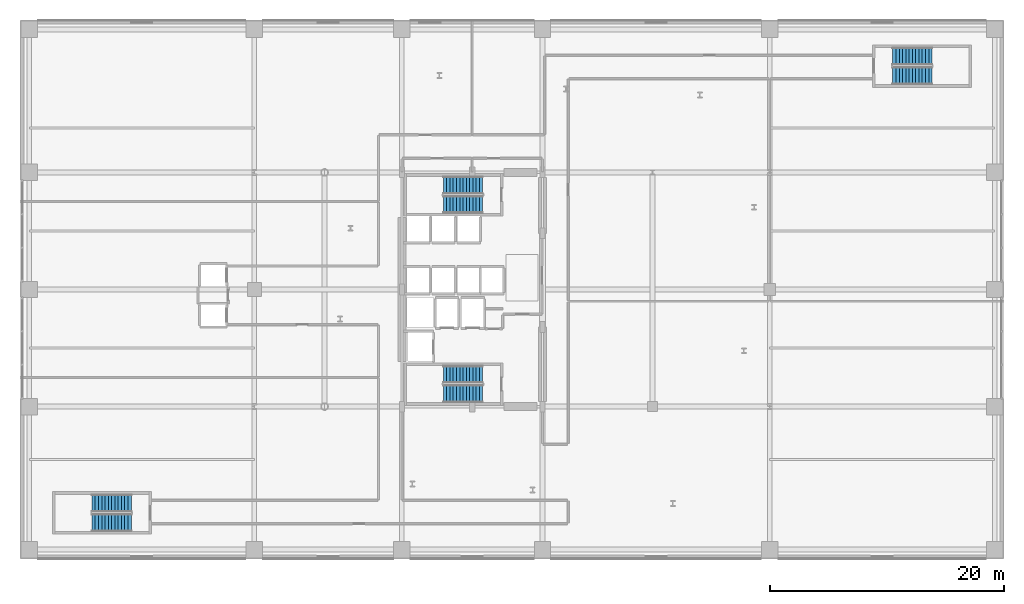
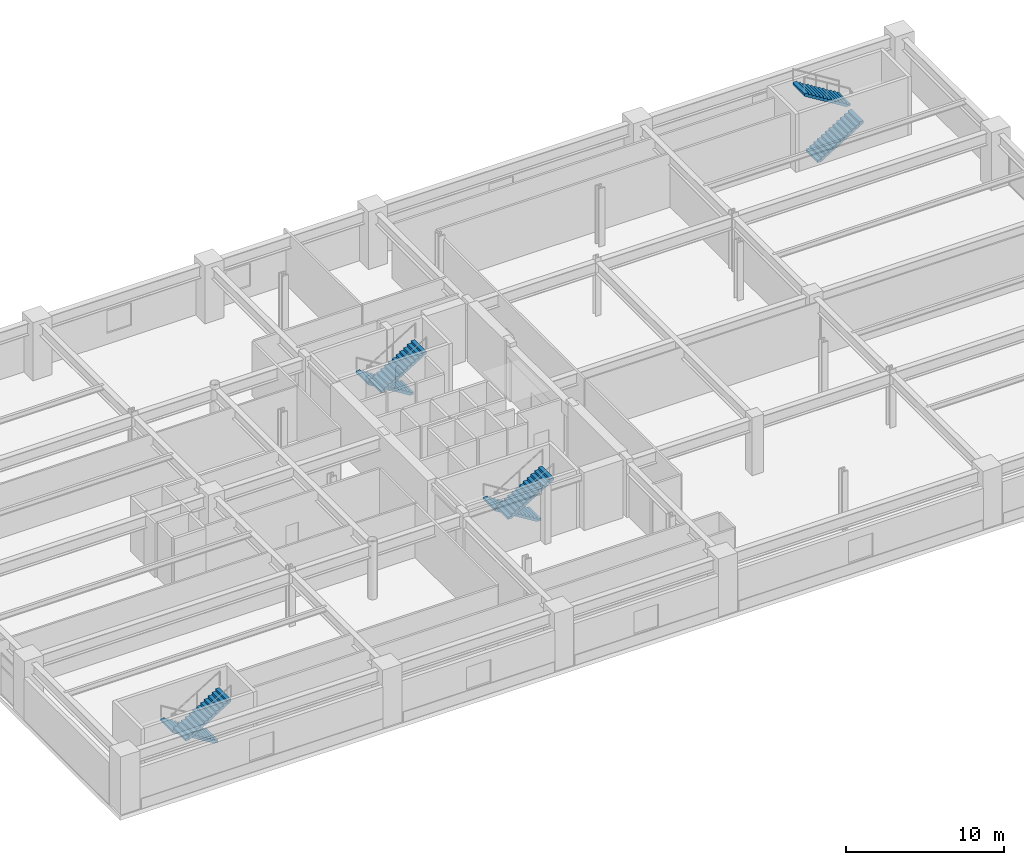
# One storey, part 23 of 28: 8 stair flights, 4 elements without a shape of their own.
"""IFC4 building model written with IfcOpenShell, lengths in metres."""

from ifc_helpers import new_model, si_unit, direction, frame, origin, place, context, subcontext, project, spatial, polyline, outline, extrude, material, layer, layer_set, type_object, element, aggregate, save


model = new_model("IFC4")

# Units and contexts
model_context = context("Model", 3, precision=1e-05, world=origin(), true_north=direction((0.0, 1.0)))
body_context = subcontext(model_context, "Body", "Model", "MODEL_VIEW")
ifc_project = project(units=[si_unit("LENGTHUNIT", "METRE"), si_unit("AREAUNIT", "SQUARE_METRE"), si_unit("VOLUMEUNIT", "CUBIC_METRE"), si_unit("PLANEANGLEUNIT", "RADIAN"), si_unit("MASSUNIT", "GRAM", prefix="KILO")], contexts=[model_context])

# Site, building, storey
site_placement = place(None, origin())
site = spatial("IfcSite", under=ifc_project, at=site_placement, CompositionType="ELEMENT")
building_placement = place(site_placement, origin())
building = spatial("IfcBuilding", under=site, at=building_placement, Name="Soratama Intermodal Tower", CompositionType="ELEMENT")
storey_placement = place(building_placement, frame((0.0, 0.0, 20.699951171875)))
storey = spatial("IfcBuildingStorey", under=building, at=storey_placement, Name="L04", CompositionType="ELEMENT", Elevation=20.699951171875)

# Stair, stair flights
ifc_material_1 = material(Name="Concrete f'c 42 MPa", Category="concrete")
stair_type = type_object("IfcStairType", Name="ST-CORE-DOGLEG", PredefinedType="HALF_TURN_STAIR", material=ifc_material_1)
stair_1_placement = place(storey_placement, origin())
stair_1 = element("IfcStair", 1, at=stair_1_placement, inside=storey, type_object=stair_type, Name="L04 ST-1", PredefinedType="HALF_TURN_STAIR")
ifc_material_2 = material(Name="Precast concrete f'c 40 MPa", Category="concrete")
ifc_layer = layer(ifc_material_2, 0.199951171875)
ifc_layer_set = layer_set([ifc_layer], Name="Precast concrete f'c 40 MPa")
stair_flight_type = type_object("IfcStairFlightType", Name="SF-FLIGHT-RC", PredefinedType="STRAIGHT", material=ifc_layer_set)
stair_flight_1_placement = place(storey_placement, frame((39.5, 17.75, 0.0), z_axis=(0.0, 0.0, 1.0), x_axis=(-1.0, 0.0, 0.0)))
stair_flight_1 = element("IfcStairFlight", 2, at=stair_flight_1_placement, type_object=stair_flight_type, Name="ST-1 flight 1", NumberOfRisers=13, NumberOfTreads=12, PredefinedType="STRAIGHT", RiserHeight=0.173076923, TreadLength=0.28, context=body_context, shape_type="SweptSolid", body=[
    extrude(outline(polyline([(0.0, 0.0), (0.0, 0.173095703125), (0.280029296875, 0.173095703125), (0.280029296875, 0.34619140625), (0.56005859375, 0.34619140625), (0.56005859375, 0.519287109375), (0.840087890625, 0.519287109375), (0.840087890625, 0.6923828125), (1.1201171875, 0.6923828125), (1.1201171875, 0.865478515625), (1.39990234375, 0.865478515625), (1.39990234375, 1.03857421875), (1.679931640625, 1.03857421875), (1.679931640625, 1.21142578125), (1.9599609375, 1.21142578125), (1.9599609375, 1.384521484375), (2.239990234375, 1.384521484375), (2.239990234375, 1.5576171875), (2.52001953125, 1.5576171875), (2.52001953125, 1.730712890625), (2.800048828125, 1.730712890625), (2.800048828125, 1.90380859375), (3.080078125, 1.90380859375), (3.080078125, 2.076904296875), (3.360107421875, 2.076904296875), (3.360107421875, 2.25), (3.360107421875, 1.900634765625), (0.28515625, 0.0), (0.0, 0.0)])), frame((0.0, 0.75, 0.0), z_axis=(0.0, -1.0, 0.0), x_axis=(1.0, 0.0, 0.0)), (0.0, 0.0, 1.0), 1.5),
])
stair_flight_2_placement = place(storey_placement, frame((36.139892578125, 16.10009765625, 2.25), z_axis=(0.0, 0.0, 1.0), x_axis=(1.0, 0.0, 0.0)))
stair_flight_2 = element("IfcStairFlight", 3, at=stair_flight_2_placement, type_object=stair_flight_type, Name="ST-1 flight 2", NumberOfRisers=13, NumberOfTreads=12, PredefinedType="STRAIGHT", RiserHeight=0.173076923, TreadLength=0.28, context=body_context, shape_type="SweptSolid", body=[
    extrude(outline(polyline([(0.0, 0.0), (0.0, 0.173095703125), (0.280029296875, 0.173095703125), (0.280029296875, 0.34619140625), (0.56005859375, 0.34619140625), (0.56005859375, 0.519287109375), (0.840087890625, 0.519287109375), (0.840087890625, 0.6923828125), (1.1201171875, 0.6923828125), (1.1201171875, 0.865478515625), (1.39990234375, 0.865478515625), (1.39990234375, 1.03857421875), (1.679931640625, 1.03857421875), (1.679931640625, 1.21142578125), (1.9599609375, 1.21142578125), (1.9599609375, 1.384521484375), (2.239990234375, 1.384521484375), (2.239990234375, 1.5576171875), (2.52001953125, 1.5576171875), (2.52001953125, 1.730712890625), (2.800048828125, 1.730712890625), (2.800048828125, 1.90380859375), (3.080078125, 1.90380859375), (3.080078125, 2.076904296875), (3.360107421875, 2.076904296875), (3.360107421875, 2.25), (3.360107421875, 1.900634765625), (0.28515625, 0.0), (0.0, 0.0)])), frame((0.0, 0.75, 0.0), z_axis=(0.0, -1.0, 0.0), x_axis=(1.0, 0.0, 0.0)), (0.0, 0.0, 1.0), 1.5),
])
aggregate(stair_1, [stair_flight_1, stair_flight_2])

stair_2_placement = place(storey_placement, origin())
stair_2 = element("IfcStair", 4, at=stair_2_placement, inside=storey, type_object=stair_type, Name="L04 ST-2", PredefinedType="HALF_TURN_STAIR")
stair_flight_3_placement = place(storey_placement, frame((39.5, 33.89990234375, 0.0), z_axis=(0.0, 0.0, 1.0), x_axis=(-1.0, 0.0, 0.0)))
stair_flight_3 = element("IfcStairFlight", 5, at=stair_flight_3_placement, type_object=stair_flight_type, Name="ST-2 flight 1", NumberOfRisers=13, NumberOfTreads=12, PredefinedType="STRAIGHT", RiserHeight=0.173076923, TreadLength=0.28, context=body_context, shape_type="SweptSolid", body=[
    extrude(outline(polyline([(0.0, 0.0), (0.0, 0.173095703125), (0.280029296875, 0.173095703125), (0.280029296875, 0.34619140625), (0.56005859375, 0.34619140625), (0.56005859375, 0.519287109375), (0.840087890625, 0.519287109375), (0.840087890625, 0.6923828125), (1.1201171875, 0.6923828125), (1.1201171875, 0.865478515625), (1.39990234375, 0.865478515625), (1.39990234375, 1.03857421875), (1.679931640625, 1.03857421875), (1.679931640625, 1.21142578125), (1.9599609375, 1.21142578125), (1.9599609375, 1.384521484375), (2.239990234375, 1.384521484375), (2.239990234375, 1.5576171875), (2.52001953125, 1.5576171875), (2.52001953125, 1.730712890625), (2.800048828125, 1.730712890625), (2.800048828125, 1.90380859375), (3.080078125, 1.90380859375), (3.080078125, 2.076904296875), (3.360107421875, 2.076904296875), (3.360107421875, 2.25), (3.360107421875, 1.900634765625), (0.28515625, 0.0), (0.0, 0.0)])), frame((0.0, 0.75, 0.0), z_axis=(0.0, -1.0, 0.0), x_axis=(1.0, 0.0, 0.0)), (0.0, 0.0, 1.0), 1.5),
])
stair_flight_4_placement = place(storey_placement, frame((36.139892578125, 32.25, 2.25), z_axis=(0.0, 0.0, 1.0), x_axis=(1.0, 0.0, 0.0)))
stair_flight_4 = element("IfcStairFlight", 6, at=stair_flight_4_placement, type_object=stair_flight_type, Name="ST-2 flight 2", NumberOfRisers=13, NumberOfTreads=12, PredefinedType="STRAIGHT", RiserHeight=0.173076923, TreadLength=0.28, context=body_context, shape_type="SweptSolid", body=[
    extrude(outline(polyline([(0.0, 0.0), (0.0, 0.173095703125), (0.280029296875, 0.173095703125), (0.280029296875, 0.34619140625), (0.56005859375, 0.34619140625), (0.56005859375, 0.519287109375), (0.840087890625, 0.519287109375), (0.840087890625, 0.6923828125), (1.1201171875, 0.6923828125), (1.1201171875, 0.865478515625), (1.39990234375, 0.865478515625), (1.39990234375, 1.03857421875), (1.679931640625, 1.03857421875), (1.679931640625, 1.21142578125), (1.9599609375, 1.21142578125), (1.9599609375, 1.384521484375), (2.239990234375, 1.384521484375), (2.239990234375, 1.5576171875), (2.52001953125, 1.5576171875), (2.52001953125, 1.730712890625), (2.800048828125, 1.730712890625), (2.800048828125, 1.90380859375), (3.080078125, 1.90380859375), (3.080078125, 2.076904296875), (3.360107421875, 2.076904296875), (3.360107421875, 2.25), (3.360107421875, 1.900634765625), (0.28515625, 0.0), (0.0, 0.0)])), frame((0.0, 0.75, 0.0), z_axis=(0.0, -1.0, 0.0), x_axis=(1.0, 0.0, 0.0)), (0.0, 0.0, 1.0), 1.5),
])
aggregate(stair_2, [stair_flight_3, stair_flight_4])

stair_3_placement = place(storey_placement, origin())
stair_3 = element("IfcStair", 7, at=stair_3_placement, inside=storey, type_object=stair_type, Name="L04 ST-3", PredefinedType="HALF_TURN_STAIR")
stair_flight_5_placement = place(storey_placement, frame((9.5, 6.75, 0.0), z_axis=(0.0, 0.0, 1.0), x_axis=(-1.0, 0.0, 0.0)))
stair_flight_5 = element("IfcStairFlight", 8, at=stair_flight_5_placement, type_object=stair_flight_type, Name="ST-3 flight 1", NumberOfRisers=13, NumberOfTreads=12, PredefinedType="STRAIGHT", RiserHeight=0.173076923, TreadLength=0.28, context=body_context, shape_type="SweptSolid", body=[
    extrude(outline(polyline([(0.0, 0.0), (0.0, 0.173095703125), (0.280029296875, 0.173095703125), (0.280029296875, 0.34619140625), (0.56005859375, 0.34619140625), (0.56005859375, 0.519287109375), (0.840087890625, 0.519287109375), (0.840087890625, 0.6923828125), (1.1201171875, 0.6923828125), (1.1201171875, 0.865478515625), (1.39990234375, 0.865478515625), (1.39990234375, 1.03857421875), (1.679931640625, 1.03857421875), (1.679931640625, 1.21142578125), (1.9599609375, 1.21142578125), (1.9599609375, 1.384521484375), (2.239990234375, 1.384521484375), (2.239990234375, 1.5576171875), (2.52001953125, 1.5576171875), (2.52001953125, 1.730712890625), (2.800048828125, 1.730712890625), (2.800048828125, 1.90380859375), (3.080078125, 1.90380859375), (3.080078125, 2.076904296875), (3.360107421875, 2.076904296875), (3.360107421875, 2.25), (3.360107421875, 1.900634765625), (0.28515625, 0.0), (0.0, 0.0)])), frame((0.0, 0.75, 0.0), z_axis=(0.0, -1.0, 0.0), x_axis=(1.0, 0.0, 0.0)), (0.0, 0.0, 1.0), 1.5),
])
stair_flight_6_placement = place(storey_placement, frame((6.139892578125, 5.10009765625, 2.25), z_axis=(0.0, 0.0, 1.0), x_axis=(1.0, 0.0, 0.0)))
stair_flight_6 = element("IfcStairFlight", 9, at=stair_flight_6_placement, type_object=stair_flight_type, Name="ST-3 flight 2", NumberOfRisers=13, NumberOfTreads=12, PredefinedType="STRAIGHT", RiserHeight=0.173076923, TreadLength=0.28, context=body_context, shape_type="SweptSolid", body=[
    extrude(outline(polyline([(0.0, 0.0), (0.0, 0.173095703125), (0.280029296875, 0.173095703125), (0.280029296875, 0.34619140625), (0.56005859375, 0.34619140625), (0.56005859375, 0.519287109375), (0.840087890625, 0.519287109375), (0.840087890625, 0.6923828125), (1.1201171875, 0.6923828125), (1.1201171875, 0.865478515625), (1.39990234375, 0.865478515625), (1.39990234375, 1.03857421875), (1.679931640625, 1.03857421875), (1.679931640625, 1.21142578125), (1.9599609375, 1.21142578125), (1.9599609375, 1.384521484375), (2.239990234375, 1.384521484375), (2.239990234375, 1.5576171875), (2.52001953125, 1.5576171875), (2.52001953125, 1.730712890625), (2.800048828125, 1.730712890625), (2.800048828125, 1.90380859375), (3.080078125, 1.90380859375), (3.080078125, 2.076904296875), (3.360107421875, 2.076904296875), (3.360107421875, 2.25), (3.360107421875, 1.900634765625), (0.28515625, 0.0), (0.0, 0.0)])), frame((0.0, 0.75, 0.0), z_axis=(0.0, -1.0, 0.0), x_axis=(1.0, 0.0, 0.0)), (0.0, 0.0, 1.0), 1.5),
])
aggregate(stair_3, [stair_flight_5, stair_flight_6])

stair_4_placement = place(storey_placement, origin())
stair_4 = element("IfcStair", 10, at=stair_4_placement, inside=storey, type_object=stair_type, Name="L04 ST-4", PredefinedType="HALF_TURN_STAIR")
stair_flight_7_placement = place(storey_placement, frame((74.5, 43.25, 0.0), z_axis=(0.0, 0.0, 1.0), x_axis=(1.0, 0.0, 0.0)))
stair_flight_7 = element("IfcStairFlight", 11, at=stair_flight_7_placement, type_object=stair_flight_type, Name="ST-4 flight 1", NumberOfRisers=13, NumberOfTreads=12, PredefinedType="STRAIGHT", RiserHeight=0.173076923, TreadLength=0.28, context=body_context, shape_type="SweptSolid", body=[
    extrude(outline(polyline([(0.0, 0.0), (0.0, 0.173095703125), (0.280029296875, 0.173095703125), (0.280029296875, 0.34619140625), (0.56005859375, 0.34619140625), (0.56005859375, 0.519287109375), (0.840087890625, 0.519287109375), (0.840087890625, 0.6923828125), (1.1201171875, 0.6923828125), (1.1201171875, 0.865478515625), (1.39990234375, 0.865478515625), (1.39990234375, 1.03857421875), (1.679931640625, 1.03857421875), (1.679931640625, 1.21142578125), (1.9599609375, 1.21142578125), (1.9599609375, 1.384521484375), (2.239990234375, 1.384521484375), (2.239990234375, 1.5576171875), (2.52001953125, 1.5576171875), (2.52001953125, 1.730712890625), (2.800048828125, 1.730712890625), (2.800048828125, 1.90380859375), (3.080078125, 1.90380859375), (3.080078125, 2.076904296875), (3.360107421875, 2.076904296875), (3.360107421875, 2.25), (3.360107421875, 1.900634765625), (0.28515625, 0.0), (0.0, 0.0)])), frame((0.0, 0.75, 0.0), z_axis=(0.0, -1.0, 0.0), x_axis=(1.0, 0.0, 0.0)), (0.0, 0.0, 1.0), 1.5),
])
stair_flight_8_placement = place(storey_placement, frame((77.860107421875, 44.89990234375, 2.25), z_axis=(0.0, 0.0, 1.0), x_axis=(-1.0, 0.0, 0.0)))
stair_flight_8 = element("IfcStairFlight", 12, at=stair_flight_8_placement, type_object=stair_flight_type, Name="ST-4 flight 2", NumberOfRisers=13, NumberOfTreads=12, PredefinedType="STRAIGHT", RiserHeight=0.173076923, TreadLength=0.28, context=body_context, shape_type="SweptSolid", body=[
    extrude(outline(polyline([(0.0, 0.0), (0.0, 0.173095703125), (0.280029296875, 0.173095703125), (0.280029296875, 0.34619140625), (0.56005859375, 0.34619140625), (0.56005859375, 0.519287109375), (0.840087890625, 0.519287109375), (0.840087890625, 0.6923828125), (1.1201171875, 0.6923828125), (1.1201171875, 0.865478515625), (1.39990234375, 0.865478515625), (1.39990234375, 1.03857421875), (1.679931640625, 1.03857421875), (1.679931640625, 1.21142578125), (1.9599609375, 1.21142578125), (1.9599609375, 1.384521484375), (2.239990234375, 1.384521484375), (2.239990234375, 1.5576171875), (2.52001953125, 1.5576171875), (2.52001953125, 1.730712890625), (2.800048828125, 1.730712890625), (2.800048828125, 1.90380859375), (3.080078125, 1.90380859375), (3.080078125, 2.076904296875), (3.360107421875, 2.076904296875), (3.360107421875, 2.25), (3.360107421875, 1.900634765625), (0.28515625, 0.0), (0.0, 0.0)])), frame((0.0, 0.75, 0.0), z_axis=(0.0, -1.0, 0.0), x_axis=(1.0, 0.0, 0.0)), (0.0, 0.0, 1.0), 1.5),
])
aggregate(stair_4, [stair_flight_7, stair_flight_8])

save(model, "model.ifc")
